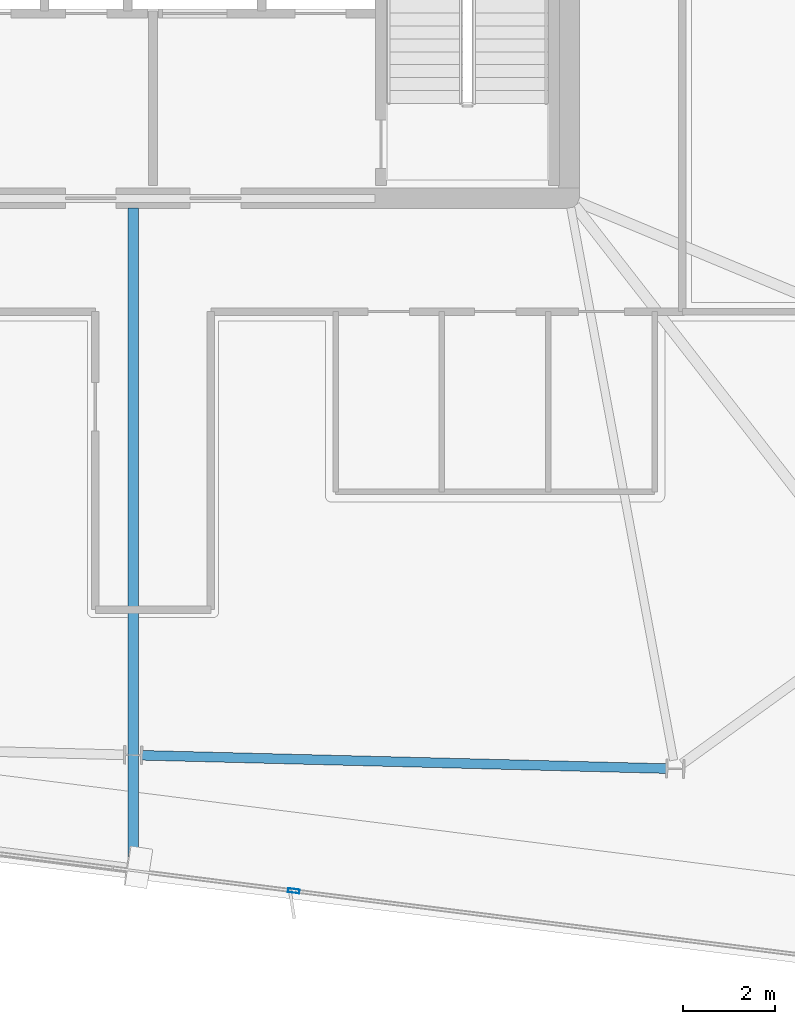
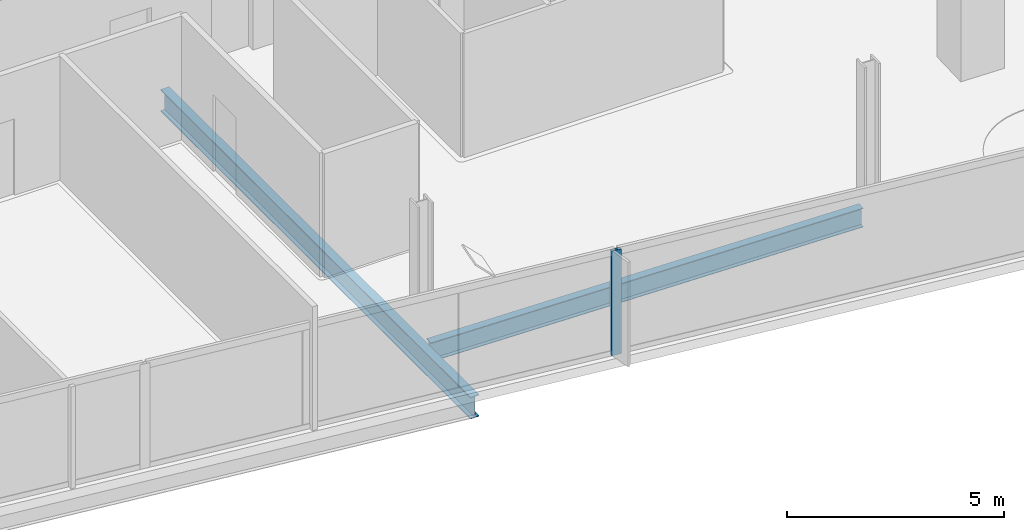
# One storey, part 4 of 23: 2 beams, 1 member, 1 element without a shape of its own.
"""IFC4 building model written with IfcOpenShell, lengths in metres."""

from ifc_helpers import new_model, si_unit, direction, frame, origin, origin_2d, place, context, subcontext, project, spatial, hollow_rectangle, i_section, extrude, material, material_profile, profile_set, type_object, element, aggregate, save


model = new_model("IFC4")

# Units and contexts
model_context = context("Model", 3, precision=1e-05, world=origin(), true_north=direction((0.0, 1.0)))
body_context = subcontext(model_context, "Body", "Model", "MODEL_VIEW")
ifc_project = project(units=[si_unit("LENGTHUNIT", "METRE"), si_unit("AREAUNIT", "SQUARE_METRE"), si_unit("VOLUMEUNIT", "CUBIC_METRE"), si_unit("PLANEANGLEUNIT", "RADIAN"), si_unit("MASSUNIT", "GRAM", prefix="KILO")], contexts=[model_context])

# Site, building, storey
site_placement = place(None, origin())
site = spatial("IfcSite", under=ifc_project, at=site_placement, CompositionType="ELEMENT")
building_placement = place(site_placement, origin())
building = spatial("IfcBuilding", under=site, at=building_placement, Name="Haldenkirk Collegiate Tower", CompositionType="ELEMENT")
storey_placement = place(building_placement, frame((0.0, 0.0, 306.449951171875)))
storey = spatial("IfcBuildingStorey", under=building, at=storey_placement, Name="L77", CompositionType="ELEMENT", Elevation=306.449951171875)

# Beams
ifc_material_1 = material(Name="Steel ASTM A992 Grade 50", Category="steel")
ifc_material_profile_1 = material_profile(ifc_material_1, i_section(OverallWidth=0.22998046875, OverallDepth=0.616943359375, WebThickness=0.01318359375, FlangeThickness=0.022216796875, at=origin_2d()), Name="W24X94")
ifc_profile_set_1 = profile_set([ifc_material_profile_1], Name="Steel ASTM A992 Grade 50")
beam_type_1 = type_object("IfcBeamType", Name="BM-GIRDER-W24X94", PredefinedType="BEAM", material=ifc_profile_set_1)
beam_1_placement = place(storey_placement, frame((35.567626953125, 3.49658203125, -0.568359375), z_axis=(0.0, 1.0, 0.0), x_axis=(-1.0, 0.0, 0.0)))
element("IfcBeam", 1, at=beam_1_placement, inside=storey, type_object=beam_type_1, Name="L77 primary floor girder 15", PredefinedType="BEAM", context=body_context, shape_type="SweptSolid", body=[
    extrude(i_section(OverallWidth=0.22998046875, OverallDepth=0.616943359375, WebThickness=0.01318359375, FlangeThickness=0.022216796875, at=origin_2d()), origin(), (0.0, 0.0, 1.0), 14.29833984375),
])
ifc_material_profile_2 = material_profile(ifc_material_1, i_section(OverallWidth=0.2099609375, OverallDepth=0.537109375, WebThickness=0.010986328125, FlangeThickness=0.017333984375, at=origin_2d()), Name="W21X68")
ifc_profile_set_2 = profile_set([ifc_material_profile_2], Name="Steel ASTM A992 Grade 50")
beam_type_2 = type_object("IfcBeamType", Name="BM-SPANDREL-W21X68", PredefinedType="SPANDREL", material=ifc_profile_set_2)
beam_2_placement = place(storey_placement, frame((35.755615234375, 5.94970703125, -0.528564453125), z_axis=(0.999679850822, -0.025302092003, 0.0), x_axis=(0.025302092003, 0.999679850822, 0.0)))
element("IfcBeam", 2, at=beam_2_placement, inside=storey, type_object=beam_type_2, Name="L77 perimeter spandrel beam 15", PredefinedType="SPANDREL", context=body_context, shape_type="SweptSolid", body=[
    extrude(i_section(OverallWidth=0.2099609375, OverallDepth=0.537109375, WebThickness=0.010986328125, FlangeThickness=0.017333984375, at=origin_2d()), origin(), (0.0, 0.0, 1.0), 11.35693359375),
])

# Curtain wall, member
ifc_material_2 = material(Name="Anodised architectural bronze aluminium", Category="aluminium")
curtain_wall_type = type_object("IfcCurtainWallType", Name="CW-SYS1B-CONVEX-HI", PredefinedType="USERDEFINED", material=ifc_material_2)
curtain_wall_placement = place(storey_placement, origin())
curtain_wall = element("IfcCurtainWall", 3, at=curtain_wall_placement, inside=storey, type_object=curtain_wall_type, Name="L77 Upper tower high-wind convex bronze unitised curtain wall", ObjectType="UNITISED CURTAIN WALL", PredefinedType="USERDEFINED")
ifc_material_profile_3 = material_profile(ifc_material_2, hollow_rectangle(XDim=0.0849609375, YDim=0.25, WallThickness=0.0048828125, at=origin_2d()), Name="CW-MUL-1B")
ifc_profile_set_3 = profile_set([ifc_material_profile_3], Name="Anodised architectural bronze aluminium")
member_type = type_object("IfcMemberType", Name="CW-MUL-1B", PredefinedType="MULLION", material=ifc_profile_set_3)
member_placement = place(storey_placement, frame((39.04345703125, 3.017333984375, 0.0), z_axis=(0.0, 0.0, 1.0), x_axis=(-0.125333192769, -0.992114706468, 0.0)))
member = element("IfcMember", 4, at=member_placement, type_object=member_type, Name="CW-1B mullion 2", PredefinedType="MULLION", context=body_context, shape_type="SweptSolid", body=[
    extrude(hollow_rectangle(XDim=0.0849609375, YDim=0.25, WallThickness=0.0048828125, at=origin_2d()), origin(), (0.0, 0.0, 1.0), 2.947998046875),
])
aggregate(curtain_wall, [member])

save(model, "model.ifc")
